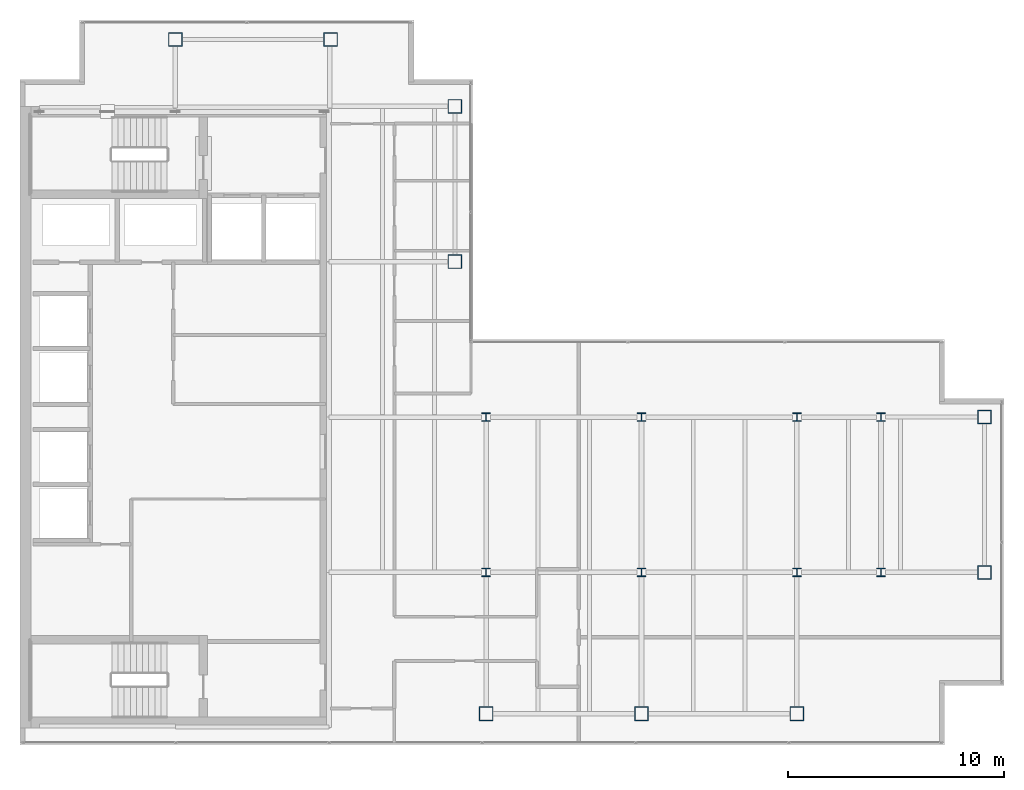
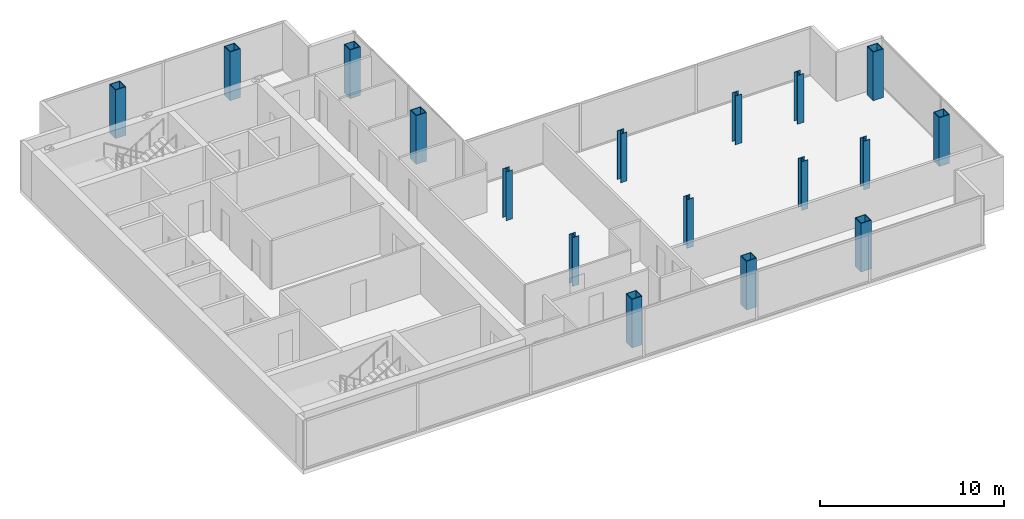
# One storey, part 1 of 24: 17 columns.
"""IFC4 building model written with IfcOpenShell, lengths in metres."""

import ifcopenshell
import ifcopenshell.guid

model = None  # the IFC model being written
_history = None  # IfcOwnerHistory: only IFC2X3 demands one
_inside = {}  # id of a spatial element -> (the spatial element, [elements in it])
_under = {}  # id of a project, library or spatial element -> (it, [spatial elements below it])
_declared = {}  # id of a project -> (the project, [libraries it declares])
_typed = {}  # id of a type object -> (the type object, [elements of that type])
_made_of = {}  # id of a material, layer set ... -> (it, [elements and type objects made of it])


def new_model(schema):
    """Start an empty IFC model of exactly this schema.

    Asked for "IFC4X3", IfcOpenShell would pick the latest addendum, in which some entities
    have other attributes; the version numbers below select the first issue.
    IFC2X3 requires an IfcOwnerHistory on every rooted entity: one is made here for all.
    """
    global model, _history
    if schema == "IFC4X3":
        model = ifcopenshell.file(schema_version=(4, 3, 0, 0))
    else:
        model = ifcopenshell.file(schema=schema)
    _inside.clear()
    _under.clear()
    _declared.clear()
    _typed.clear()
    _made_of.clear()
    _history = None
    if model.schema == "IFC2X3":
        org = make("IfcOrganization", Name="unknown")
        user = make(
            "IfcPersonAndOrganization",
            ThePerson=make("IfcPerson", FamilyName="unknown"),
            TheOrganization=org,
        )
        app = make(
            "IfcApplication",
            ApplicationDeveloper=org,
            Version="unknown",
            ApplicationFullName="unknown",
            ApplicationIdentifier="unknown",
        )
        _history = make(
            "IfcOwnerHistory",
            OwningUser=user,
            OwningApplication=app,
            ChangeAction="ADDED",
            CreationDate=0,
        )
    return model


def make(cls, **values):
    """One entity of the class cls with the attributes given. An attribute that is None is left unset."""
    return model.create_entity(
        cls, **{name: value for name, value in values.items() if value is not None}
    )


def rooted(cls, **values):
    """An entity with a GlobalId (a new one), such as an element, a storey or a relation."""
    return make(cls, GlobalId=ifcopenshell.guid.new(), OwnerHistory=_history, **values)


def si_unit(unit_type, name, prefix=None):
    """IfcSIUnit, for example si_unit("LENGTHUNIT", "METRE", prefix="MILLI")."""
    return make("IfcSIUnit", UnitType=unit_type, Prefix=prefix, Name=name)


def assignment(units):
    """IfcUnitAssignment: the units of a project."""
    return None if units is None else make("IfcUnitAssignment", Units=units)


def point(xyz):
    """IfcCartesianPoint."""
    return None if xyz is None else make("IfcCartesianPoint", Coordinates=xyz)


def direction(xyz):
    """IfcDirection."""
    return None if xyz is None else make("IfcDirection", DirectionRatios=xyz)


def frame(location, z_axis=None, x_axis=None):
    """IfcAxis2Placement3D, a coordinate frame: its origin and axes. An axis left out is left unset."""
    return make(
        "IfcAxis2Placement3D",
        Location=point(location),
        Axis=direction(z_axis),
        RefDirection=direction(x_axis),
    )


def frame_2d(location, x_axis=None):
    """IfcAxis2Placement2D, a coordinate frame in the plane: its origin and x axis."""
    return make(
        "IfcAxis2Placement2D", Location=point(location), RefDirection=direction(x_axis)
    )


def origin():
    """The frame at (0, 0, 0) with its axes left unset."""
    return frame((0.0, 0.0, 0.0))


def origin_2d():
    """The frame at (0, 0) in the plane with its x axis left unset."""
    return frame_2d((0.0, 0.0))


def place(relative_to, where):
    """IfcLocalPlacement: puts the frame where relative to a parent placement (None: the world)."""
    return make(
        "IfcLocalPlacement", PlacementRelTo=relative_to, RelativePlacement=where
    )


def context(
    kind, dimensions, precision=None, world=None, true_north=None, identifier=None
):
    """IfcGeometricRepresentationContext, for example the 3D "Model" context."""
    return make(
        "IfcGeometricRepresentationContext",
        ContextIdentifier=identifier,
        ContextType=kind,
        CoordinateSpaceDimension=dimensions,
        Precision=precision,
        WorldCoordinateSystem=world,
        TrueNorth=true_north,
    )


def subcontext(parent, identifier, kind, view, scale=None):
    """IfcGeometricRepresentationSubContext, for example "Body" below "Model"."""
    return make(
        "IfcGeometricRepresentationSubContext",
        ContextIdentifier=identifier,
        ContextType=kind,
        ParentContext=parent,
        TargetScale=scale,
        TargetView=view,
    )


def project(units=None, contexts=None):
    """IfcProject with its units and contexts."""
    return rooted(
        "IfcProject",
        Name="project",
        RepresentationContexts=contexts,
        UnitsInContext=assignment(units),
    )


def spatial(cls, under=None, at=None, **own):
    """A site, building, storey or space (cls), placed at a placement, below another one or the project."""
    s = rooted(cls, ObjectPlacement=at, **own)
    if under is not None:
        _under.setdefault(under.id(), (under, []))[1].append(s)
    return s


def profile(cls, at=None, kind="AREA", **sizes):
    """A parametric profile (cls). Its sizes go by their IFC names, for example OverallWidth=200.0."""
    return make(cls, ProfileType=kind, Position=at, **sizes)


def hollow_rectangle(**sizes):
    """IfcRectangleHollowProfileDef."""
    return profile("IfcRectangleHollowProfileDef", **sizes)


def i_section(**sizes):
    """IfcIShapeProfileDef."""
    return profile("IfcIShapeProfileDef", **sizes)


def extrude(swept, where, along, depth):
    """IfcExtrudedAreaSolid: the profile swept, set in the frame where, extruded along a direction by depth."""
    return make(
        "IfcExtrudedAreaSolid",
        SweptArea=swept,
        Position=where,
        ExtrudedDirection=direction(along),
        Depth=depth,
    )


def shape(context_of_items, identifier, shape_type, items):
    """IfcShapeRepresentation: the items that make up one representation, for example the "Body"."""
    return make(
        "IfcShapeRepresentation",
        ContextOfItems=context_of_items,
        RepresentationIdentifier=identifier,
        RepresentationType=shape_type,
        Items=items,
    )


def material(Name=None, Category=None):
    """IfcMaterial."""
    return make("IfcMaterial", Name=Name, Category=Category)


def material_profile(
    of_material, cross_section, Name=None, Category=None, Priority=None
):
    """IfcMaterialProfile: a cross section and its material."""
    return make(
        "IfcMaterialProfile",
        Name=Name,
        Material=of_material,
        Profile=cross_section,
        Priority=Priority,
        Category=Category,
    )


def profile_set(profiles, Name=None, composite=None):
    """IfcMaterialProfileSet."""
    return make(
        "IfcMaterialProfileSet",
        Name=Name,
        MaterialProfiles=profiles,
        CompositeProfile=composite,
    )


def made_of(thing, what):
    """Note that an element or type object is made of a material, layer set ...; save() writes the relation."""
    if what is not None:
        _made_of.setdefault(what.id(), (what, []))[1].append(thing)
    return thing


def type_object(cls, material=None, **own):
    """A type object (cls), such as IfcWallType, which elements share."""
    return made_of(rooted(cls, **own), material)


def element(
    cls,
    number,
    at=None,
    inside=None,
    cuts=None,
    type_object=None,
    material=None,
    context=None,
    identifier="Body",
    shape_type=None,
    held_by="IfcProductDefinitionShape",
    body=None,
    shapes=None,
    **own,
):
    """One element of the class cls, such as IfcWall. Its Tag is "e" and its number.

    at: its placement. inside: the storey or other place that contains it. cuts: it is an
    opening in that element (IfcRelVoidsElement). A single representation is given by context,
    identifier, shape_type and body (its items); several are given by shapes. held_by: the class
    of the entity that holds the representations. save() writes the other relations.
    """
    e = rooted(cls, Tag="e%d" % number, ObjectPlacement=at, **own)
    if body is not None:
        shapes = [shape(context, identifier, shape_type, body)]
    if shapes is not None:
        e.Representation = make(held_by, Representations=shapes)
    if inside is not None:
        _inside.setdefault(inside.id(), (inside, []))[1].append(e)
    if cuts is not None:
        rooted(
            "IfcRelVoidsElement", RelatingBuildingElement=cuts, RelatedOpeningElement=e
        )
    if type_object is not None:
        _typed.setdefault(type_object.id(), (type_object, []))[1].append(e)
    return made_of(e, material)


def aggregate(whole, parts):
    """IfcRelAggregates: a whole, such as a stair, and the parts it consists of."""
    return rooted("IfcRelAggregates", RelatingObject=whole, RelatedObjects=parts)


def save(model, path):
    """Write the relations noted so far, then the file.

    IfcRelAggregates (storeys below a building ...), IfcRelContainedInSpatialStructure (elements
    in a storey), IfcRelDefinesByType, IfcRelAssociatesMaterial and IfcRelDeclares: one each for
    every whole, place, type object, material and project.
    """
    for whole, parts in _under.values():
        aggregate(whole, parts)
    for where, things in _inside.values():
        rooted(
            "IfcRelContainedInSpatialStructure",
            RelatedElements=things,
            RelatingStructure=where,
        )
    for kind, things in _typed.values():
        rooted("IfcRelDefinesByType", RelatedObjects=things, RelatingType=kind)
    for what, things in _made_of.values():
        rooted("IfcRelAssociatesMaterial", RelatedObjects=things, RelatingMaterial=what)
    for by, libraries in _declared.values():
        rooted("IfcRelDeclares", RelatingContext=by, RelatedDefinitions=libraries)
    model.write(path)


model = new_model("IFC4")

# Units and contexts
model_context = context("Model", 3, precision=1e-05, world=origin(), true_north=direction((0.0, 1.0)))
body_context = subcontext(model_context, "Body", "Model", "MODEL_VIEW")
ifc_project = project(units=[si_unit("LENGTHUNIT", "METRE"), si_unit("AREAUNIT", "SQUARE_METRE"), si_unit("VOLUMEUNIT", "CUBIC_METRE"), si_unit("PLANEANGLEUNIT", "RADIAN"), si_unit("MASSUNIT", "GRAM", prefix="KILO")], contexts=[model_context])

# Site, building, storey
site_placement = place(None, origin())
site = spatial("IfcSite", under=ifc_project, at=site_placement, CompositionType="ELEMENT")
building_placement = place(site_placement, origin())
building = spatial("IfcBuilding", under=site, at=building_placement, Name="Cobrela Telecom Tower", CompositionType="ELEMENT")
storey_placement = place(building_placement, frame((0.0, 0.0, 244.64990234375)))
storey = spatial("IfcBuildingStorey", under=building, at=storey_placement, Name="L63", CompositionType="ELEMENT", Elevation=244.64990234375)

# Columns
ifc_material_1 = material(Name="Steel ASTM A992 Grade 50", Category="steel")
ifc_material_profile_1 = material_profile(ifc_material_1, i_section(OverallWidth=0.39892578125, OverallDepth=0.39404296875, WebThickness=0.022705078125, FlangeThickness=0.03662109375, FilletRadius=0.01806640625, at=origin_2d()), Name="W14X193")
ifc_profile_set_1 = profile_set([ifc_material_profile_1], Name="Steel ASTM A992 Grade 50")
column_type_1 = type_object("IfcColumnType", Name="COL-INT-06", PredefinedType="COLUMN", material=ifc_profile_set_1)
for number, where, z_axis, x_axis, name in (
    (1, (21.60009765625, 14.39990234375, 0.0), (0.0, 0.0, 1.0), (1.0, 0.0, 0.0), "L63 Interior Column 06"),
    (2, (21.60009765625, 21.60009765625, 0.0), (0.0, 0.0, 1.0), (1.0, 0.0, 0.0), "L63 Interior Column 07"),
    (3, (28.800048828125, 14.39990234375, 0.0), (0.0, 0.0, 1.0), (1.0, 0.0, 0.0), "L63 Interior Column 09"),
    (4, (28.800048828125, 21.60009765625, 0.0), (0.0, 0.0, 1.0), (1.0, 0.0, 0.0), "L63 Interior Column 10"),
    (5, (36.0, 14.39990234375, 0.0), (0.0, 0.0, 1.0), (1.0, 0.0, 0.0), "L63 Interior Column 12"),
    (6, (36.0, 21.60009765625, 0.0), (0.0, 0.0, 1.0), (1.0, 0.0, 0.0), "L63 Interior Column 13"),
    (7, (39.89990234375, 14.39990234375, 0.0), (0.0, 0.0, 1.0), (1.0, 0.0, 0.0), "L63 Interior Column 14"),
    (8, (39.89990234375, 21.60009765625, 0.0), (0.0, 0.0, 1.0), (1.0, 0.0, 0.0), "L63 Interior Column 15"),
):
    element("IfcColumn", number, at=place(storey_placement, frame(where, z_axis=z_axis, x_axis=x_axis)), inside=storey, type_object=column_type_1, Name=name, PredefinedType="COLUMN", context=body_context, shape_type="SweptSolid", body=[
        extrude(i_section(OverallWidth=0.39892578125, OverallDepth=0.39404296875, WebThickness=0.022705078125, FlangeThickness=0.03662109375, FilletRadius=0.01806640625, at=origin_2d()), origin(), (0.0, 0.0, 1.0), 3.239990234375),
    ])
ifc_material_2 = material(Name="Steel ASTM A572 Grade 50", Category="steel")
ifc_material_profile_2 = material_profile(ifc_material_2, hollow_rectangle(XDim=0.64990234375, YDim=0.64990234375, WallThickness=0.0400390625, at=origin_2d()), Name="BOX 650x650x40")
ifc_profile_set_2 = profile_set([ifc_material_profile_2], Name="Steel ASTM A572 Grade 50")
column_type_2 = type_object("IfcColumnType", Name="COL-MEGA-09", PredefinedType="COLUMN", material=ifc_profile_set_2)
for number, where, z_axis, x_axis, name in (
    (9, (7.199951171875, 39.10009765625, 0.0), (0.0, 0.0, 1.0), (1.0, 0.0, 0.0), "L63 Perimeter Mega-Column 01"),
    (10, (14.39990234375, 39.10009765625, 0.0), (0.0, 0.0, 1.0), (1.0, 0.0, 0.0), "L63 Perimeter Mega-Column 02"),
    (11, (20.14990234375, 28.800048828125, 0.0), (0.0, 0.0, 1.0), (1.0, 0.0, 0.0), "L63 Perimeter Mega-Column 03"),
    (12, (20.14990234375, 36.0, 0.0), (0.0, 0.0, 1.0), (1.0, 0.0, 0.0), "L63 Perimeter Mega-Column 04"),
    (13, (21.60009765625, 7.85009765625, 0.0), (0.0, 0.0, 1.0), (1.0, 0.0, 0.0), "L63 Perimeter Mega-Column 05"),
    (14, (28.800048828125, 7.85009765625, 0.0), (0.0, 0.0, 1.0), (1.0, 0.0, 0.0), "L63 Perimeter Mega-Column 08"),
    (15, (36.0, 7.85009765625, 0.0), (0.0, 0.0, 1.0), (1.0, 0.0, 0.0), "L63 Perimeter Mega-Column 11"),
    (16, (44.699951171875, 14.39990234375, 0.0), (0.0, 0.0, 1.0), (1.0, 0.0, 0.0), "L63 Perimeter Mega-Column 16"),
    (17, (44.699951171875, 21.60009765625, 0.0), (0.0, 0.0, 1.0), (1.0, 0.0, 0.0), "L63 Perimeter Mega-Column 17"),
):
    element("IfcColumn", number, at=place(storey_placement, frame(where, z_axis=z_axis, x_axis=x_axis)), inside=storey, type_object=column_type_2, Name=name, PredefinedType="COLUMN", context=body_context, shape_type="SweptSolid", body=[
        extrude(hollow_rectangle(XDim=0.64990234375, YDim=0.64990234375, WallThickness=0.0400390625, at=origin_2d()), origin(), (0.0, 0.0, 1.0), 3.239990234375),
    ])

save(model, "model.ifc")
